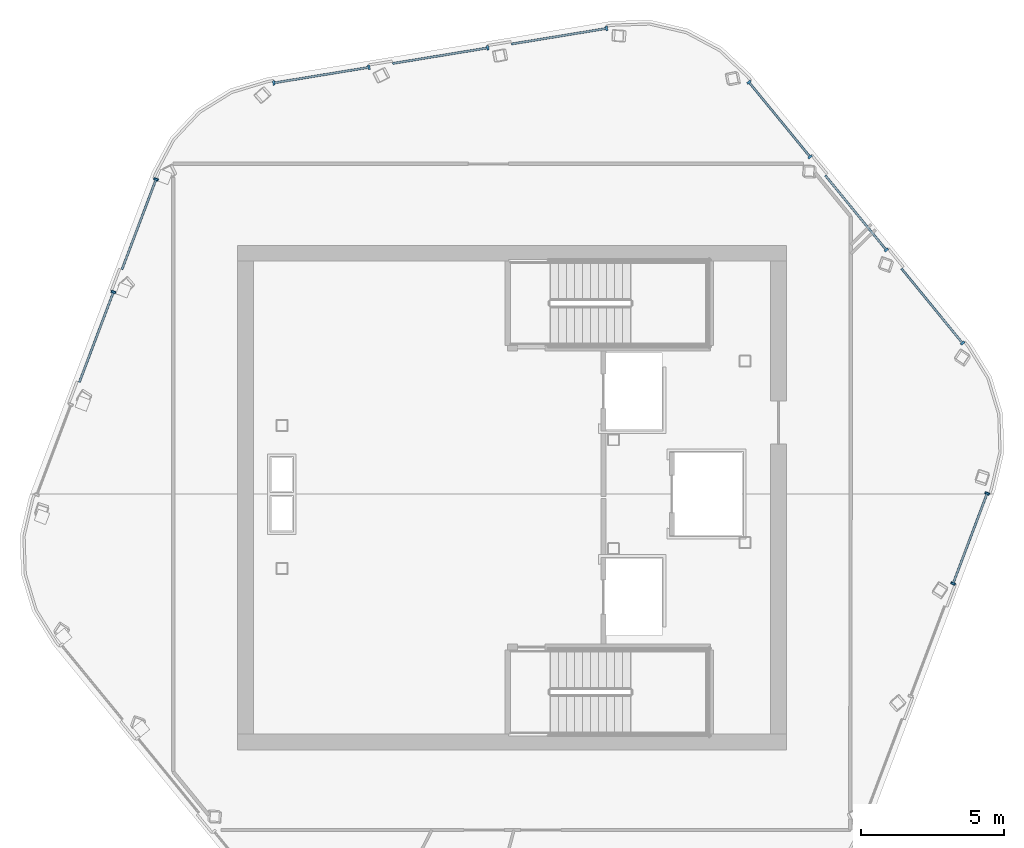
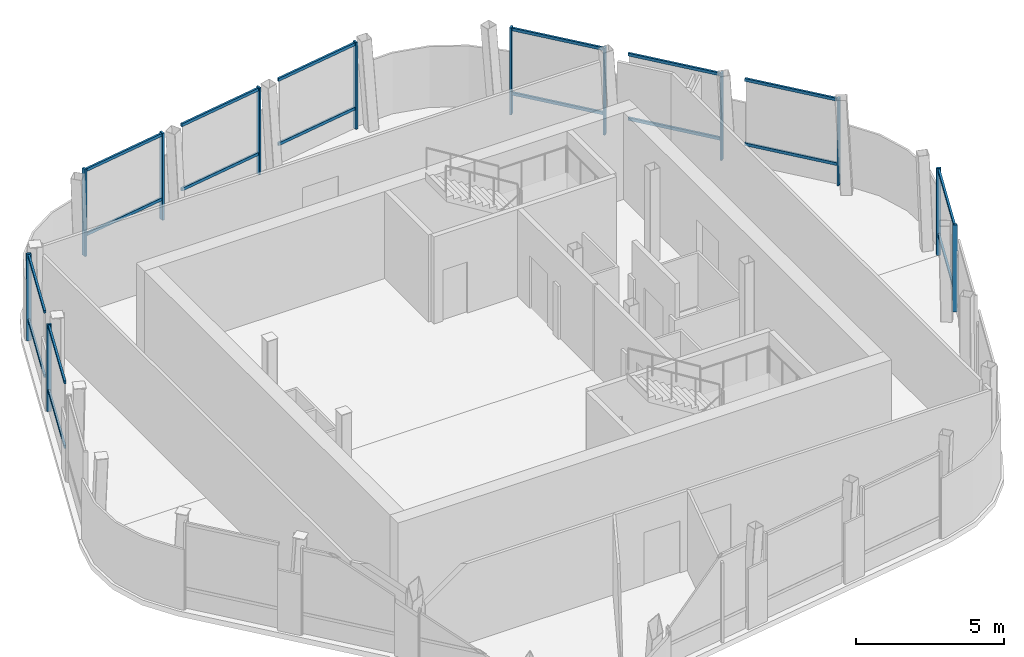
# One storey, part 3 of 8: 30 members, 4 elements without a shape of their own.
"""IFC4 building model written with IfcOpenShell, lengths in metres."""

from ifc_helpers import new_model, si_unit, direction, frame, origin, origin_2d, place, context, subcontext, project, spatial, rectangle, extrude, material, layer, layer_set, material_profile, profile_set, type_object, element, aggregate, save


model = new_model("IFC4")

# Units and contexts
model_context = context("Model", 3, precision=1e-05, world=origin(), true_north=direction((0.0, 1.0)))
body_context = subcontext(model_context, "Body", "Model", "MODEL_VIEW")
ifc_project = project(units=[si_unit("LENGTHUNIT", "METRE"), si_unit("AREAUNIT", "SQUARE_METRE"), si_unit("VOLUMEUNIT", "CUBIC_METRE"), si_unit("PLANEANGLEUNIT", "RADIAN"), si_unit("MASSUNIT", "GRAM", prefix="KILO")], contexts=[model_context])

# Site, building, storey
site_placement = place(None, origin())
site = spatial("IfcSite", under=ifc_project, at=site_placement, CompositionType="ELEMENT")
building_placement = place(site_placement, origin())
building = spatial("IfcBuilding", under=site, at=building_placement, Name="Valkerne Bourse Tower", CompositionType="ELEMENT")
storey_placement = place(building_placement, frame((0.0, 0.0, 323.0)))
storey = spatial("IfcBuildingStorey", under=building, at=storey_placement, Name="L82", CompositionType="ELEMENT", Elevation=323.0)

# Curtain wall, members
ifc_material = material(Name="Aluminium AA 6063-T6", Category="aluminium")
ifc_layer = layer(ifc_material, 0.25)
ifc_layer_set = layer_set([ifc_layer], Name="Aluminium AA 6063-T6")
curtain_wall_type = type_object("IfcCurtainWallType", Name="CW-06", PredefinedType="NOTDEFINED", material=ifc_layer_set)
curtain_wall_1_placement = place(storey_placement, origin())
curtain_wall_1 = element("IfcCurtainWall", 1, at=curtain_wall_1_placement, inside=storey, type_object=curtain_wall_type, Name="L82 Hexagonal Stick Curtain Wall Face 1", PredefinedType="NOTDEFINED")
ifc_material_profile_1 = material_profile(ifc_material, rectangle(XDim=0.074951171875, YDim=0.159912109375, at=origin_2d()), Name="CWM-75X160")
ifc_profile_set_1 = profile_set([ifc_material_profile_1], Name="Aluminium AA 6063-T6")
member_type_1 = type_object("IfcMemberType", Name="CW-MUL-160X75", PredefinedType="MULLION", material=ifc_profile_set_1)
member_1_placement = place(storey_placement, frame((50.109375, 43.28759765625, 0.0), z_axis=(0.0, 0.0, 1.0), x_axis=(-0.98685517608, -0.161607120647, 0.0)))
member_1 = element("IfcMember", 2, at=member_1_placement, type_object=member_type_1, Name="CW-L82-F1 Jamb Mullion 00A", PredefinedType="MULLION", context=body_context, shape_type="SweptSolid", body=[
    extrude(rectangle(XDim=0.074951171875, YDim=0.159912109375, at=origin_2d()), origin(), (0.0, 0.0, 1.0), 3.580078125),
])
member_2_placement = place(storey_placement, frame((45.95263671875, 42.60693359375, 0.0), z_axis=(0.0, 0.0, 1.0), x_axis=(-0.986854556011, -0.161610907056, 0.0)))
member_2 = element("IfcMember", 3, at=member_2_placement, type_object=member_type_1, Name="CW-L82-F1 Jamb Mullion 01A", PredefinedType="MULLION", context=body_context, shape_type="SweptSolid", body=[
    extrude(rectangle(XDim=0.074951171875, YDim=0.159912109375, at=origin_2d()), origin(), (0.0, 0.0, 1.0), 3.580078125),
])
member_3_placement = place(storey_placement, frame((41.796142578125, 41.92626953125, 0.0), z_axis=(0.0, 0.0, 1.0), x_axis=(-0.986858342261, -0.161587785149, 0.0)))
member_3 = element("IfcMember", 4, at=member_3_placement, type_object=member_type_1, Name="CW-L82-F1 Jamb Mullion 02A", PredefinedType="MULLION", context=body_context, shape_type="SweptSolid", body=[
    extrude(rectangle(XDim=0.074951171875, YDim=0.159912109375, at=origin_2d()), origin(), (0.0, 0.0, 1.0), 3.580078125),
])
member_4_placement = place(storey_placement, frame((38.468505859375, 41.38134765625, 0.0), z_axis=(0.0, 0.0, 1.0), x_axis=(-0.986858342261, -0.161587785149, 0.0)))
member_4 = element("IfcMember", 5, at=member_4_placement, type_object=member_type_1, Name="CW-L82-F1 Jamb Mullion 02B", PredefinedType="MULLION", context=body_context, shape_type="SweptSolid", body=[
    extrude(rectangle(XDim=0.074951171875, YDim=0.159912109375, at=origin_2d()), origin(), (0.0, 0.0, 1.0), 3.580078125),
])

curtain_wall_2_placement = place(storey_placement, origin())
curtain_wall_2 = element("IfcCurtainWall", 6, at=curtain_wall_2_placement, inside=storey, type_object=curtain_wall_type, Name="L82 Hexagonal Stick Curtain Wall Face 2", PredefinedType="NOTDEFINED")
member_5_placement = place(storey_placement, frame((34.34912109375, 38.009765625, 0.0), z_axis=(0.0, 0.0, 1.0), x_axis=(-0.353487366331, -0.935439298856, 0.0)))
member_5 = element("IfcMember", 7, at=member_5_placement, type_object=member_type_1, Name="CW-L82-F2 Jamb Mullion 00A", PredefinedType="MULLION", context=body_context, shape_type="SweptSolid", body=[
    extrude(rectangle(XDim=0.074951171875, YDim=0.159912109375, at=origin_2d()), origin(), (0.0, 0.0, 1.0), 3.580078125),
])
member_6_placement = place(storey_placement, frame((32.8603515625, 34.069580078125, 0.0), z_axis=(0.0, 0.0, 1.0), x_axis=(-0.353466591137, -0.935447149202, 0.0)))
member_6 = element("IfcMember", 8, at=member_6_placement, type_object=member_type_1, Name="CW-L82-F2 Jamb Mullion 01A", PredefinedType="MULLION", context=body_context, shape_type="SweptSolid", body=[
    extrude(rectangle(XDim=0.074951171875, YDim=0.159912109375, at=origin_2d()), origin(), (0.0, 0.0, 1.0), 3.580078125),
])

curtain_wall_3_placement = place(storey_placement, origin())
curtain_wall_3 = element("IfcCurtainWall", 9, at=curtain_wall_3_placement, inside=storey, type_object=curtain_wall_type, Name="L82 Hexagonal Stick Curtain Wall Face 5", PredefinedType="NOTDEFINED")
member_7_placement = place(storey_placement, frame((62.228515625, 23.870361328125, 0.0), z_axis=(0.0, 0.0, 1.0), x_axis=(0.353466591137, 0.935447149202, 0.0)))
member_7 = element("IfcMember", 10, at=member_7_placement, type_object=member_type_1, Name="CW-L82-F5 Jamb Mullion 02A", PredefinedType="MULLION", context=body_context, shape_type="SweptSolid", body=[
    extrude(rectangle(XDim=0.074951171875, YDim=0.159912109375, at=origin_2d()), origin(), (0.0, 0.0, 1.0), 3.580078125),
])
member_8_placement = place(storey_placement, frame((63.42041015625, 27.024658203125, 0.0), z_axis=(0.0, 0.0, 1.0), x_axis=(0.353466591137, 0.935447149202, 0.0)))
member_8 = element("IfcMember", 11, at=member_8_placement, type_object=member_type_1, Name="CW-L82-F5 Jamb Mullion 02B", PredefinedType="MULLION", context=body_context, shape_type="SweptSolid", body=[
    extrude(rectangle(XDim=0.074951171875, YDim=0.159912109375, at=origin_2d()), origin(), (0.0, 0.0, 1.0), 3.580078125),
])

curtain_wall_4_placement = place(storey_placement, origin())
curtain_wall_4 = element("IfcCurtainWall", 12, at=curtain_wall_4_placement, inside=storey, type_object=curtain_wall_type, Name="L82 Hexagonal Stick Curtain Wall Face 6", PredefinedType="NOTDEFINED")
member_9_placement = place(storey_placement, frame((62.560302734375, 32.27783203125, 0.0), z_axis=(0.0, 0.0, 1.0), x_axis=(-0.633382580386, 0.773838811939, 0.0)))
member_9 = element("IfcMember", 13, at=member_9_placement, type_object=member_type_1, Name="CW-L82-F6 Jamb Mullion 00A", PredefinedType="MULLION", context=body_context, shape_type="SweptSolid", body=[
    extrude(rectangle(XDim=0.074951171875, YDim=0.159912109375, at=origin_2d()), origin(), (0.0, 0.0, 1.0), 3.580078125),
])
member_10_placement = place(storey_placement, frame((59.892333984375, 35.537353515625, 0.0), z_axis=(0.0, 0.0, 1.0), x_axis=(-0.633382580386, 0.773838811939, 0.0)))
member_10 = element("IfcMember", 14, at=member_10_placement, type_object=member_type_1, Name="CW-L82-F6 Jamb Mullion 01A", PredefinedType="MULLION", context=body_context, shape_type="SweptSolid", body=[
    extrude(rectangle(XDim=0.074951171875, YDim=0.159912109375, at=origin_2d()), origin(), (0.0, 0.0, 1.0), 3.580078125),
])
member_11_placement = place(storey_placement, frame((57.224609375, 38.796630859375, 0.0), z_axis=(0.0, 0.0, 1.0), x_axis=(-0.633382580386, 0.773838811939, 0.0)))
member_11 = element("IfcMember", 15, at=member_11_placement, type_object=member_type_1, Name="CW-L82-F6 Jamb Mullion 02A", PredefinedType="MULLION", context=body_context, shape_type="SweptSolid", body=[
    extrude(rectangle(XDim=0.074951171875, YDim=0.159912109375, at=origin_2d()), origin(), (0.0, 0.0, 1.0), 3.580078125),
])
member_12_placement = place(storey_placement, frame((55.0888671875, 41.406005859375, 0.0), z_axis=(0.0, 0.0, 1.0), x_axis=(-0.633382580386, 0.773838811939, 0.0)))
member_12 = element("IfcMember", 16, at=member_12_placement, type_object=member_type_1, Name="CW-L82-F6 Jamb Mullion 02B", PredefinedType="MULLION", context=body_context, shape_type="SweptSolid", body=[
    extrude(rectangle(XDim=0.074951171875, YDim=0.159912109375, at=origin_2d()), origin(), (0.0, 0.0, 1.0), 3.580078125),
])

# Member
ifc_material_profile_2 = material_profile(ifc_material, rectangle(XDim=0.074951171875, YDim=0.1201171875, at=origin_2d()), Name="CWT-75X120")
ifc_profile_set_2 = profile_set([ifc_material_profile_2], Name="Aluminium AA 6063-T6")
member_type_2 = type_object("IfcMemberType", Name="CW-TRN-120X75", PredefinedType="USERDEFINED", material=ifc_profile_set_2)
member_13_placement = place(storey_placement, frame((50.109375, 43.28759765625, 0.85009765625), z_axis=(-0.986857585108, -0.161592409211, 0.0), x_axis=(0.161592409211, -0.986857585108, 0.0)))
member_13 = element("IfcMember", 17, at=member_13_placement, type_object=member_type_2, Name="CW-L82-F1 Bay Transom 00-1", ObjectType="TRANSOM", PredefinedType="USERDEFINED", context=body_context, shape_type="SweptSolid", body=[
    extrude(rectangle(XDim=0.074951171875, YDim=0.1201171875, at=origin_2d()), origin(), (0.0, 0.0, 1.0), 3.372314453125),
])

member_14_placement = place(storey_placement, frame((50.109375, 43.28759765625, 3.5), z_axis=(-0.986857585108, -0.161592409211, 0.0), x_axis=(0.161592409211, -0.986857585108, 0.0)))
member_14 = element("IfcMember", 18, at=member_14_placement, type_object=member_type_2, Name="CW-L82-F1 Bay Transom 00-2", ObjectType="TRANSOM", PredefinedType="USERDEFINED", context=body_context, shape_type="SweptSolid", body=[
    extrude(rectangle(XDim=0.074951171875, YDim=0.1201171875, at=origin_2d()), origin(), (0.0, 0.0, 1.0), 3.372314453125),
])

member_15_placement = place(storey_placement, frame((45.95263671875, 42.60693359375, 0.85009765625), z_axis=(-0.98685569444, -0.161603955245, 0.0), x_axis=(0.161603955245, -0.98685569444, 0.0)))
member_15 = element("IfcMember", 19, at=member_15_placement, type_object=member_type_2, Name="CW-L82-F1 Bay Transom 01-1", ObjectType="TRANSOM", PredefinedType="USERDEFINED", context=body_context, shape_type="SweptSolid", body=[
    extrude(rectangle(XDim=0.074951171875, YDim=0.1201171875, at=origin_2d()), origin(), (0.0, 0.0, 1.0), 3.3720703125),
])

member_16_placement = place(storey_placement, frame((45.95263671875, 42.60693359375, 3.5), z_axis=(-0.98685569444, -0.161603955245, 0.0), x_axis=(0.161603955245, -0.98685569444, 0.0)))
member_16 = element("IfcMember", 20, at=member_16_placement, type_object=member_type_2, Name="CW-L82-F1 Bay Transom 01-2", ObjectType="TRANSOM", PredefinedType="USERDEFINED", context=body_context, shape_type="SweptSolid", body=[
    extrude(rectangle(XDim=0.074951171875, YDim=0.1201171875, at=origin_2d()), origin(), (0.0, 0.0, 1.0), 3.3720703125),
])

member_17_placement = place(storey_placement, frame((41.796142578125, 41.92626953125, 0.85009765625), z_axis=(-0.98685569444, -0.161603955245, 0.0), x_axis=(0.161603955245, -0.98685569444, 0.0)))
member_17 = element("IfcMember", 21, at=member_17_placement, type_object=member_type_2, Name="CW-L82-F1 Bay Transom 02-1", ObjectType="TRANSOM", PredefinedType="USERDEFINED", context=body_context, shape_type="SweptSolid", body=[
    extrude(rectangle(XDim=0.074951171875, YDim=0.1201171875, at=origin_2d()), origin(), (0.0, 0.0, 1.0), 3.3720703125),
])

member_18_placement = place(storey_placement, frame((41.796142578125, 41.92626953125, 3.5), z_axis=(-0.98685569444, -0.161603955245, 0.0), x_axis=(0.161603955245, -0.98685569444, 0.0)))
member_18 = element("IfcMember", 22, at=member_18_placement, type_object=member_type_2, Name="CW-L82-F1 Bay Transom 02-2", ObjectType="TRANSOM", PredefinedType="USERDEFINED", context=body_context, shape_type="SweptSolid", body=[
    extrude(rectangle(XDim=0.074951171875, YDim=0.1201171875, at=origin_2d()), origin(), (0.0, 0.0, 1.0), 3.3720703125),
])

aggregate(curtain_wall_1, [member_1, member_13, member_14, member_2, member_15, member_16, member_3, member_4, member_17, member_18])

member_19_placement = place(storey_placement, frame((34.34912109375, 38.009765625, 0.85009765625), z_axis=(-0.35347096812, -0.93544549531, 0.0), x_axis=(0.93544549531, -0.35347096812, 0.0)))
member_19 = element("IfcMember", 23, at=member_19_placement, type_object=member_type_2, Name="CW-L82-F2 Bay Transom 00-1", ObjectType="TRANSOM", PredefinedType="USERDEFINED", context=body_context, shape_type="SweptSolid", body=[
    extrude(rectangle(XDim=0.074951171875, YDim=0.1201171875, at=origin_2d()), origin(), (0.0, 0.0, 1.0), 3.3720703125),
])

member_20_placement = place(storey_placement, frame((34.34912109375, 38.009765625, 3.5), z_axis=(-0.35347096812, -0.93544549531, 0.0), x_axis=(0.93544549531, -0.35347096812, 0.0)))
member_20 = element("IfcMember", 24, at=member_20_placement, type_object=member_type_2, Name="CW-L82-F2 Bay Transom 00-2", ObjectType="TRANSOM", PredefinedType="USERDEFINED", context=body_context, shape_type="SweptSolid", body=[
    extrude(rectangle(XDim=0.074951171875, YDim=0.1201171875, at=origin_2d()), origin(), (0.0, 0.0, 1.0), 3.3720703125),
])

member_21_placement = place(storey_placement, frame((32.8603515625, 34.069580078125, 0.85009765625), z_axis=(-0.35347096812, -0.93544549531, 0.0), x_axis=(0.93544549531, -0.35347096812, 0.0)))
member_21 = element("IfcMember", 25, at=member_21_placement, type_object=member_type_2, Name="CW-L82-F2 Bay Transom 01-1", ObjectType="TRANSOM", PredefinedType="USERDEFINED", context=body_context, shape_type="SweptSolid", body=[
    extrude(rectangle(XDim=0.074951171875, YDim=0.1201171875, at=origin_2d()), origin(), (0.0, 0.0, 1.0), 3.3720703125),
])

member_22_placement = place(storey_placement, frame((32.8603515625, 34.069580078125, 3.5), z_axis=(-0.35347096812, -0.93544549531, 0.0), x_axis=(0.93544549531, -0.35347096812, 0.0)))
member_22 = element("IfcMember", 26, at=member_22_placement, type_object=member_type_2, Name="CW-L82-F2 Bay Transom 01-2", ObjectType="TRANSOM", PredefinedType="USERDEFINED", context=body_context, shape_type="SweptSolid", body=[
    extrude(rectangle(XDim=0.074951171875, YDim=0.1201171875, at=origin_2d()), origin(), (0.0, 0.0, 1.0), 3.3720703125),
])

aggregate(curtain_wall_2, [member_5, member_19, member_20, member_6, member_21, member_22])

member_23_placement = place(storey_placement, frame((62.228515625, 23.870361328125, 0.85009765625), z_axis=(0.35347096812, 0.93544549531, 0.0), x_axis=(-0.93544549531, 0.35347096812, 0.0)))
member_23 = element("IfcMember", 27, at=member_23_placement, type_object=member_type_2, Name="CW-L82-F5 Bay Transom 02-1", ObjectType="TRANSOM", PredefinedType="USERDEFINED", context=body_context, shape_type="SweptSolid", body=[
    extrude(rectangle(XDim=0.074951171875, YDim=0.1201171875, at=origin_2d()), origin(), (0.0, 0.0, 1.0), 3.3720703125),
])

member_24_placement = place(storey_placement, frame((62.228515625, 23.870361328125, 3.5), z_axis=(0.35347096812, 0.93544549531, 0.0), x_axis=(-0.93544549531, 0.35347096812, 0.0)))
member_24 = element("IfcMember", 28, at=member_24_placement, type_object=member_type_2, Name="CW-L82-F5 Bay Transom 02-2", ObjectType="TRANSOM", PredefinedType="USERDEFINED", context=body_context, shape_type="SweptSolid", body=[
    extrude(rectangle(XDim=0.074951171875, YDim=0.1201171875, at=origin_2d()), origin(), (0.0, 0.0, 1.0), 3.3720703125),
])

aggregate(curtain_wall_3, [member_7, member_8, member_23, member_24])

member_25_placement = place(storey_placement, frame((62.560302734375, 32.27783203125, 0.85009765625), z_axis=(-0.633423071774, 0.773805668204, 0.0), x_axis=(-0.773805668204, -0.633423071774, 0.0)))
member_25 = element("IfcMember", 29, at=member_25_placement, type_object=member_type_2, Name="CW-L82-F6 Bay Transom 00-1", ObjectType="TRANSOM", PredefinedType="USERDEFINED", context=body_context, shape_type="SweptSolid", body=[
    extrude(rectangle(XDim=0.074951171875, YDim=0.1201171875, at=origin_2d()), origin(), (0.0, 0.0, 1.0), 3.3720703125),
])

member_26_placement = place(storey_placement, frame((62.560302734375, 32.27783203125, 3.5), z_axis=(-0.633423071774, 0.773805668204, 0.0), x_axis=(-0.773805668204, -0.633423071774, 0.0)))
member_26 = element("IfcMember", 30, at=member_26_placement, type_object=member_type_2, Name="CW-L82-F6 Bay Transom 00-2", ObjectType="TRANSOM", PredefinedType="USERDEFINED", context=body_context, shape_type="SweptSolid", body=[
    extrude(rectangle(XDim=0.074951171875, YDim=0.1201171875, at=origin_2d()), origin(), (0.0, 0.0, 1.0), 3.3720703125),
])

member_27_placement = place(storey_placement, frame((59.892333984375, 35.537353515625, 0.85009765625), z_axis=(-0.633415206267, 0.773812106696, 0.0), x_axis=(-0.773812106696, -0.633415206267, 0.0)))
member_27 = element("IfcMember", 31, at=member_27_placement, type_object=member_type_2, Name="CW-L82-F6 Bay Transom 01-1", ObjectType="TRANSOM", PredefinedType="USERDEFINED", context=body_context, shape_type="SweptSolid", body=[
    extrude(rectangle(XDim=0.074951171875, YDim=0.1201171875, at=origin_2d()), origin(), (0.0, 0.0, 1.0), 3.371826171875),
])

member_28_placement = place(storey_placement, frame((59.892333984375, 35.537353515625, 3.5), z_axis=(-0.633415206267, 0.773812106696, 0.0), x_axis=(-0.773812106696, -0.633415206267, 0.0)))
member_28 = element("IfcMember", 32, at=member_28_placement, type_object=member_type_2, Name="CW-L82-F6 Bay Transom 01-2", ObjectType="TRANSOM", PredefinedType="USERDEFINED", context=body_context, shape_type="SweptSolid", body=[
    extrude(rectangle(XDim=0.074951171875, YDim=0.1201171875, at=origin_2d()), origin(), (0.0, 0.0, 1.0), 3.371826171875),
])

member_29_placement = place(storey_placement, frame((57.224609375, 38.796630859375, 0.85009765625), z_axis=(-0.633379717776, 0.77384115496, 0.0), x_axis=(-0.77384115496, -0.633379717776, 0.0)))
member_29 = element("IfcMember", 33, at=member_29_placement, type_object=member_type_2, Name="CW-L82-F6 Bay Transom 02-1", ObjectType="TRANSOM", PredefinedType="USERDEFINED", context=body_context, shape_type="SweptSolid", body=[
    extrude(rectangle(XDim=0.074951171875, YDim=0.1201171875, at=origin_2d()), origin(), (0.0, 0.0, 1.0), 3.3720703125),
])

member_30_placement = place(storey_placement, frame((57.224609375, 38.796630859375, 3.5), z_axis=(-0.633379717776, 0.77384115496, 0.0), x_axis=(-0.77384115496, -0.633379717776, 0.0)))
member_30 = element("IfcMember", 34, at=member_30_placement, type_object=member_type_2, Name="CW-L82-F6 Bay Transom 02-2", ObjectType="TRANSOM", PredefinedType="USERDEFINED", context=body_context, shape_type="SweptSolid", body=[
    extrude(rectangle(XDim=0.074951171875, YDim=0.1201171875, at=origin_2d()), origin(), (0.0, 0.0, 1.0), 3.3720703125),
])

aggregate(curtain_wall_4, [member_9, member_25, member_26, member_10, member_27, member_28, member_11, member_12, member_29, member_30])

save(model, "model.ifc")
